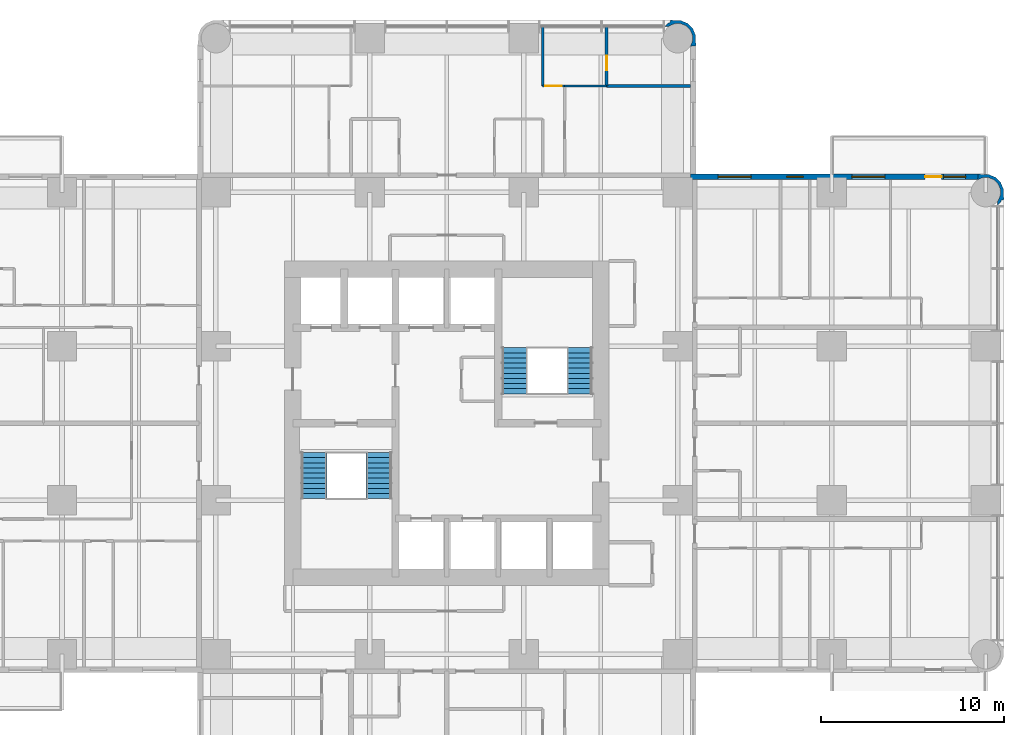
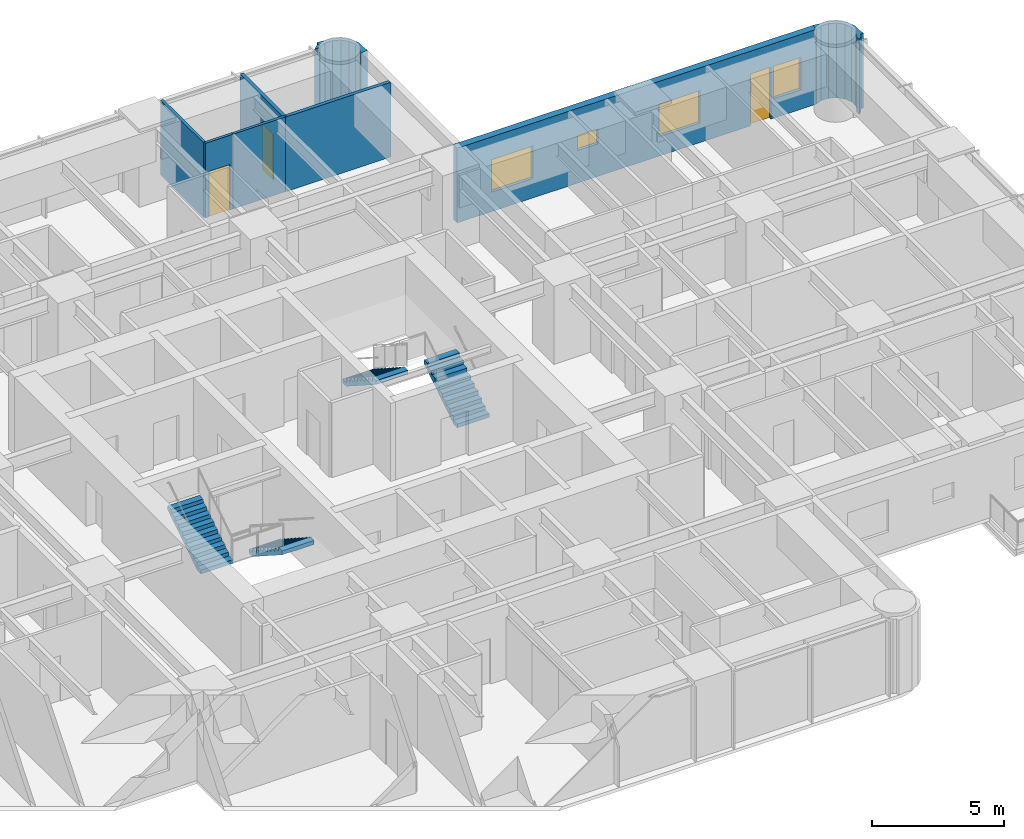
# One storey, part 12 of 14: 8 walls, 4 stair flights, 4 windows, 3 doors, 7 openings, 2 elements without a shape of their own.
"""IFC4 building model written with IfcOpenShell, lengths in metres."""

from ifc_helpers import new_model, si_unit, direction, frame, frame_2d, origin, place, context, subcontext, project, spatial, polyline, rectangle, outline, extrude, material, layer, layer_set, type_object, element, fill, aggregate, save


model = new_model("IFC4")

# Units and contexts
model_context = context("Model", 3, precision=1e-05, world=origin(), true_north=direction((0.0, 1.0)))
body_context = subcontext(model_context, "Body", "Model", "MODEL_VIEW")
ifc_project = project(units=[si_unit("LENGTHUNIT", "METRE"), si_unit("AREAUNIT", "SQUARE_METRE"), si_unit("VOLUMEUNIT", "CUBIC_METRE"), si_unit("PLANEANGLEUNIT", "RADIAN"), si_unit("MASSUNIT", "GRAM", prefix="KILO")], contexts=[model_context])

# Site, building, storey
site_placement = place(None, origin())
site = spatial("IfcSite", under=ifc_project, at=site_placement, CompositionType="ELEMENT")
building_placement = place(site_placement, origin())
building = spatial("IfcBuilding", under=site, at=building_placement, Name="Torre Alcanfor", CompositionType="ELEMENT")
storey_placement = place(building_placement, frame((0.0, 0.0, 162.89990234375)))
storey = spatial("IfcBuildingStorey", under=building, at=storey_placement, Name="L42", CompositionType="ELEMENT", Elevation=162.89990234375)

# Wall
ifc_material_1 = material(Name="Gypsum board on steel studs", Category="steel")
ifc_layer_1 = layer(ifc_material_1, 0.1201171875)
ifc_layer_set_1 = layer_set([ifc_layer_1], Name="Apartment partition 120")
wall_type_1 = type_object("IfcWallType", Name="Apartment partition 120", PredefinedType="PARTITIONING", material=ifc_layer_set_1)
wall_1_placement = place(storey_placement, frame((34.62890625, 51.050048828125, 0.0), z_axis=(0.0, 0.0, 1.0), x_axis=(0.0, -1.0, 0.0)))
element("IfcWall", 1, at=wall_1_placement, inside=storey, type_object=wall_type_1, Name="Partition L42-NX-LIVING / L42-NX-BED1", PredefinedType="PARTITIONING", context=body_context, shape_type="SweptSolid", body=[
    extrude(rectangle(XDim=3.25, YDim=0.1201171875, at=frame_2d((1.625, 0.0))), origin(), (0.0, 0.0, 1.0), 3.4501953125),
])

# Wall, opening, door
wall_2_placement = place(storey_placement, frame((34.62890625, 47.800048828125, 0.0), z_axis=(0.0, 0.0, 1.0), x_axis=(1.0, 0.0, 0.0)))
wall_2 = element("IfcWall", 2, at=wall_2_placement, inside=storey, type_object=wall_type_1, Name="Partition L42-NX-LIVING / L42-NX-BED1", PredefinedType="PARTITIONING", context=body_context, shape_type="SweptSolid", body=[
    extrude(rectangle(XDim=1.2001953125, YDim=0.1201171875, at=frame_2d((0.60009765625, 0.0))), origin(), (0.0, 0.0, 1.0), 3.4501953125),
])
opening_1_placement = place(wall_2_placement, frame((0.15087890625, 0.0, 0.0)))
opening_1 = element("IfcOpeningElement", 3, at=opening_1_placement, cuts=wall_2, Name="Opening D-R1", PredefinedType="OPENING", context=body_context, shape_type="SweptSolid", body=[
    extrude(rectangle(XDim=0.89990234375, YDim=2.10009765625, at=frame_2d((0.449951171875, 1.050048828125))), frame((0.0, 0.070068359375, 0.0), z_axis=(0.0, -1.0, 0.0), x_axis=(1.0, 0.0, 0.0)), (0.0, 0.0, 1.0), 0.14013671875),
])
ifc_material_2 = material(Name="Timber", Category="wood")
door_type_1 = type_object("IfcDoorType", Name="Internal door 900x2100", OperationType="SINGLE_SWING_LEFT", PredefinedType="DOOR", material=ifc_material_2)
door_1_placement = place(opening_1_placement, origin())
door_1 = element("IfcDoor", 4, at=door_1_placement, inside=storey, type_object=door_type_1, Name="Door L42-NX bed1", OperationType="SINGLE_SWING_LEFT", OverallHeight=2.10009765625, OverallWidth=0.89990234375, PredefinedType="DOOR", context=body_context, shape_type="SweptSolid", body=[
    extrude(rectangle(XDim=0.89990234375, YDim=2.10009765625, at=frame_2d((0.449951171875, 1.050048828125))), frame((0.0, 0.02490234375, 0.0), z_axis=(0.0, -1.0, 0.0), x_axis=(1.0, 0.0, 0.0)), (0.0, 0.0, 1.0), 0.050048828125),
])
fill(opening_1, door_1)

# Wall
wall_3_placement = place(storey_placement, frame((38.114013671875, 47.800048828125, 0.0), z_axis=(0.0, 0.0, 1.0), x_axis=(-1.0, 0.0, 0.0)))
element("IfcWall", 5, at=wall_3_placement, inside=storey, type_object=wall_type_1, Name="Partition L42-NX-BED3 / L42-NX-BED1", PredefinedType="PARTITIONING", context=body_context, shape_type="SweptSolid", body=[
    extrude(rectangle(XDim=2.284912109375, YDim=0.1201171875, at=frame_2d((1.142578125, 0.0))), origin(), (0.0, 0.0, 1.0), 3.4501953125),
])

# Wall, openings, door, windows
ifc_material_3 = material(Name="Limestone cladding", Category="masonry")
ifc_layer_2 = layer(ifc_material_3, 0.0400390625, Name="Facing")
ifc_material_4 = material(Name="Ventilated air cavity")
ifc_layer_3 = layer(ifc_material_4, 0.02001953125, ventilated=True, Name="Ventilated joint")
ifc_material_5 = material(Name="Mineral wool insulation", Category="insulation")
ifc_layer_4 = layer(ifc_material_5, 0.10009765625, Name="Insulation")
ifc_material_6 = material(Name="Concrete f'c 35 MPa", Category="concrete")
ifc_layer_5 = layer(ifc_material_6, 0.139892578125, Name="Backing")
ifc_layer_set_2 = layer_set([ifc_layer_2, ifc_layer_3, ifc_layer_4, ifc_layer_5], Name="External wall stone-clad 300")
wall_type_2 = type_object("IfcWallType", Name="External wall stone-clad 300", PredefinedType="SOLIDWALL", material=ifc_layer_set_2)
wall_4_placement = place(storey_placement, frame((58.39990234375, 42.85009765625, 0.0), z_axis=(0.0, 0.0, 1.0), x_axis=(-1.0, 0.0, 0.0)))
wall_4 = element("IfcWall", 6, at=wall_4_placement, inside=storey, type_object=wall_type_2, Name="External wall L42 9", PredefinedType="SOLIDWALL", context=body_context, shape_type="SweptSolid", body=[
    extrude(rectangle(XDim=15.699951171875, YDim=0.300048828125, at=frame_2d((7.85009765625, 0.0))), origin(), (0.0, 0.0, 1.0), 3.4501953125),
])
opening_2_placement = place(wall_4_placement, frame((12.39990234375, 0.0, 0.89990234375)))
opening_2 = element("IfcOpeningElement", 7, at=opening_2_placement, cuts=wall_4, Name="Opening W2", PredefinedType="OPENING", context=body_context, shape_type="SweptSolid", body=[
    extrude(rectangle(XDim=1.800048828125, YDim=1.5, at=frame_2d((0.89990234375, 0.75))), frame((0.0, 0.159912109375, 0.0), z_axis=(0.0, -1.0, 0.0), x_axis=(1.0, 0.0, 0.0)), (0.0, 0.0, 1.0), 0.320068359375),
])
opening_3_placement = place(wall_4_placement, frame((9.550048828125, 0.0, 1.5)))
opening_3 = element("IfcOpeningElement", 8, at=opening_3_placement, cuts=wall_4, Name="Opening W3", PredefinedType="OPENING", context=body_context, shape_type="SweptSolid", body=[
    extrude(rectangle(XDim=0.89990234375, YDim=0.699951171875, at=frame_2d((0.449951171875, 0.35009765625))), frame((0.0, 0.159912109375, 0.0), z_axis=(0.0, -1.0, 0.0), x_axis=(1.0, 0.0, 0.0)), (0.0, 0.0, 1.0), 0.320068359375),
])
opening_4_placement = place(wall_4_placement, frame((5.10009765625, 0.0, 0.89990234375)))
opening_4 = element("IfcOpeningElement", 9, at=opening_4_placement, cuts=wall_4, Name="Opening W2", PredefinedType="OPENING", context=body_context, shape_type="SweptSolid", body=[
    extrude(rectangle(XDim=1.800048828125, YDim=1.5, at=frame_2d((0.89990234375, 0.75))), frame((0.0, 0.159912109375, 0.0), z_axis=(0.0, -1.0, 0.0), x_axis=(1.0, 0.0, 0.0)), (0.0, 0.0, 1.0), 0.320068359375),
])
opening_5_placement = place(wall_4_placement, frame((2.0, 0.0, 0.0)))
opening_5 = element("IfcOpeningElement", 10, at=opening_5_placement, cuts=wall_4, Name="Opening D-B1", PredefinedType="OPENING", context=body_context, shape_type="SweptSolid", body=[
    extrude(rectangle(XDim=0.89990234375, YDim=2.39990234375, at=frame_2d((0.449951171875, 1.199951171875))), frame((0.0, 0.159912109375, 0.0), z_axis=(0.0, -1.0, 0.0), x_axis=(1.0, 0.0, 0.0)), (0.0, 0.0, 1.0), 0.320068359375),
])
opening_6_placement = place(wall_4_placement, frame((0.699951171875, 0.0, 0.89990234375)))
opening_6 = element("IfcOpeningElement", 11, at=opening_6_placement, cuts=wall_4, Name="Opening W4", PredefinedType="OPENING", context=body_context, shape_type="SweptSolid", body=[
    extrude(rectangle(XDim=1.199951171875, YDim=1.5, at=frame_2d((0.60009765625, 0.75))), frame((0.0, 0.159912109375, 0.0), z_axis=(0.0, -1.0, 0.0), x_axis=(1.0, 0.0, 0.0)), (0.0, 0.0, 1.0), 0.320068359375),
])
ifc_material_7 = material(Name="Aluminium and glass", Category="aluminium")
door_type_2 = type_object("IfcDoorType", Name="Balcony door glazed 900x2400", OperationType="SINGLE_SWING_LEFT", PredefinedType="DOOR", material=ifc_material_7)
door_2_placement = place(opening_5_placement, origin())
door_2 = element("IfcDoor", 12, at=door_2_placement, inside=storey, type_object=door_type_2, Name="Balcony door L42-E1", OperationType="SINGLE_SWING_RIGHT", OverallHeight=2.39990234375, OverallWidth=0.89990234375, PredefinedType="DOOR", context=body_context, shape_type="SweptSolid", body=[
    extrude(rectangle(XDim=0.89990234375, YDim=2.39990234375, at=frame_2d((0.449951171875, 1.199951171875))), frame((0.0, 0.02490234375, 0.0), z_axis=(0.0, -1.0, 0.0), x_axis=(1.0, 0.0, 0.0)), (0.0, 0.0, 1.0), 0.050048828125),
])
fill(opening_5, door_2)
ifc_material_8 = material(Name="Aluminium frame with clear double glazing", Category="aluminium")
window_type_1 = type_object("IfcWindowType", Name="Window bathroom 900x700", PartitioningType="SINGLE_PANEL", PredefinedType="WINDOW", material=ifc_material_8)
window_1_placement = place(opening_3_placement, origin())
window_1 = element("IfcWindow", 13, at=window_1_placement, inside=storey, type_object=window_type_1, Name="Window W3 L42-E1", OverallHeight=0.699951171875, OverallWidth=0.89990234375, PartitioningType="SINGLE_PANEL", PredefinedType="WINDOW", context=body_context, shape_type="SweptSolid", body=[
    extrude(rectangle(XDim=0.89990234375, YDim=0.699951171875, at=frame_2d((0.449951171875, 0.35009765625))), frame((0.0, 0.030029296875, 0.0), z_axis=(0.0, -1.0, 0.0), x_axis=(1.0, 0.0, 0.0)), (0.0, 0.0, 1.0), 0.06005859375),
])
fill(opening_3, window_1)
ifc_material_9 = material(Name="Aluminium frame with clear double glazing", Category="aluminium")
window_type_2 = type_object("IfcWindowType", Name="Window bedroom 1200x1500", PartitioningType="SINGLE_PANEL", PredefinedType="WINDOW", material=ifc_material_9)
window_2_placement = place(opening_6_placement, origin())
window_2 = element("IfcWindow", 14, at=window_2_placement, inside=storey, type_object=window_type_2, Name="Window W4 L42-E1", OverallHeight=1.5, OverallWidth=1.199951171875, PartitioningType="SINGLE_PANEL", PredefinedType="WINDOW", context=body_context, shape_type="SweptSolid", body=[
    extrude(rectangle(XDim=1.199951171875, YDim=1.5, at=frame_2d((0.60009765625, 0.75))), frame((0.0, 0.030029296875, 0.0), z_axis=(0.0, -1.0, 0.0), x_axis=(1.0, 0.0, 0.0)), (0.0, 0.0, 1.0), 0.06005859375),
])
fill(opening_6, window_2)
ifc_material_10 = material(Name="Aluminium frame with clear double glazing", Category="aluminium")
window_type_3 = type_object("IfcWindowType", Name="Window bedroom 1800x1500", PartitioningType="SINGLE_PANEL", PredefinedType="WINDOW", material=ifc_material_10)
window_3_placement = place(opening_2_placement, origin())
window_3 = element("IfcWindow", 15, at=window_3_placement, inside=storey, type_object=window_type_3, Name="Window W2 L42-E1", OverallHeight=1.5, OverallWidth=1.800048828125, PartitioningType="SINGLE_PANEL", PredefinedType="WINDOW", context=body_context, shape_type="SweptSolid", body=[
    extrude(rectangle(XDim=1.800048828125, YDim=1.5, at=frame_2d((0.89990234375, 0.75))), frame((0.0, 0.030029296875, 0.0), z_axis=(0.0, -1.0, 0.0), x_axis=(1.0, 0.0, 0.0)), (0.0, 0.0, 1.0), 0.06005859375),
])
fill(opening_2, window_3)
window_4_placement = place(opening_4_placement, origin())
window_4 = element("IfcWindow", 16, at=window_4_placement, inside=storey, type_object=window_type_3, Name="Window W2 L42-E1", OverallHeight=1.5, OverallWidth=1.800048828125, PartitioningType="SINGLE_PANEL", PredefinedType="WINDOW", context=body_context, shape_type="SweptSolid", body=[
    extrude(rectangle(XDim=1.800048828125, YDim=1.5, at=frame_2d((0.89990234375, 0.75))), frame((0.0, 0.030029296875, 0.0), z_axis=(0.0, -1.0, 0.0), x_axis=(1.0, 0.0, 0.0)), (0.0, 0.0, 1.0), 0.06005859375),
])
fill(opening_4, window_4)

# Walls
ifc_layer_6 = layer(ifc_material_3, 0.0400390625, Name="Facing")
ifc_layer_7 = layer(ifc_material_4, 0.02001953125, ventilated=True, Name="Ventilated joint")
ifc_layer_8 = layer(ifc_material_5, 0.10009765625, Name="Insulation")
ifc_layer_9 = layer(ifc_material_6, 0.139892578125, Name="Backing")
ifc_layer_set_3 = layer_set([ifc_layer_6, ifc_layer_7, ifc_layer_8, ifc_layer_9], Name="Rounded corner pier stone-clad 300")
wall_type_3 = type_object("IfcWallType", Name="Rounded corner pier stone-clad 300", PredefinedType="SOLIDWALL", material=ifc_layer_set_3)
wall_5_placement = place(storey_placement, frame((59.395317512, 41.351928198, 0.0), z_axis=(0.0, 0.0, 1.0), x_axis=(0.93923434088, 0.343276641956, 0.0)))
element("IfcWall", 17, at=wall_5_placement, inside=storey, type_object=wall_type_3, Name="Corner pier L42 18", PredefinedType="SOLIDWALL", context=body_context, shape_type="SweptSolid", body=[
    extrude(outline(polyline([(0.5319791374717469, 0.3931546875748424), (0.6305370795958255, 0.662817672163305), (0.614285462759775, 1.044364627998893), (0.4533652442516045, 1.3906676424071163), (0.17222000156622597, 1.6491237258576117), (-0.09744298302223653, 1.7476816679816904), (-0.36918355555989557, 1.8896284089825286), (-0.509101456401082, 1.6213052972671853), (-0.49052773042177455, 1.6145168675800676), (-0.47941981662998623, 1.6086375342973744), (-0.2113919059229058, 1.6201101578142136), (0.08785145707704622, 1.5107410128550955), (0.32257352025202113, 1.2952455132706726), (0.4567838912150332, 1.0060128786275908), (0.47036434537540095, 0.687566849311498), (0.36107900819019806, 0.38855279157054984), (0.14535420334677107, 0.1539145361694899), (0.10800994465551556, 0.13637103018492347), (0.030906792653685306, -0.07458980809856762), (0.2410056377422186, 0.023039004395991533), (0.3334055822831027, 0.12365495968313633), (0.46532832919806827, 0.0941544704520565), (0.5319791374717469, 0.3931546875748424)])), origin(), (0.0, 0.0, 1.0), 3.4501953125),
])
wall_6_placement = place(storey_placement, frame((42.817059488, 50.073176205, 0.0), z_axis=(0.0, 0.0, 1.0), x_axis=(0.343276641956, 0.93923434088, 0.0)))
element("IfcWall", 18, at=wall_6_placement, inside=storey, type_object=wall_type_3, Name="Corner pier L42 19", PredefinedType="SOLIDWALL", context=body_context, shape_type="SweptSolid", body=[
    extrude(outline(polyline([(0.2655808672444785, -0.0550807599050476), (0.5354731570919448, 0.04356098999294611), (0.8166183997773234, 0.30201707344344164), (0.9775386182854939, 0.6483200878516648), (0.9937902351215443, 1.0298670436872528), (0.8952322929974657, 1.2995300282757154), (0.8283521794647835, 1.5984464376245864), (0.6966587378088214, 1.5690297561674216), (0.6042587932679374, 1.6696457114545662), (0.39415994817940425, 1.7672745239491254), (0.47126310018123446, 1.5563136856656343), (0.50860735887249, 1.538770179681068), (0.7241028584569131, 1.304048116506093), (0.833388195642116, 1.0050340587651447), (0.8200370467407522, 0.686671837222967), (0.68582667577774, 0.3974392025798854), (0.4511046126027651, 0.18194370299546214), (0.15186124960281305, 0.07257455803634424), (-0.11616666110426738, 0.08404718155318341), (-0.12750388015505948, 0.07808404049657515), (-0.14607760613436685, 0.07129561080945748), (-0.0059304000341767055, -0.19694369313197083), (0.2655808672444785, -0.0550807599050476)])), origin(), (0.0, 0.0, 1.0), 3.4501953125),
])
ifc_material_11 = material(Name="Cement board on steel studs", Category="steel")
ifc_layer_10 = layer(ifc_material_11, 0.14990234375)
ifc_layer_set_4 = layer_set([ifc_layer_10], Name="Wet area partition 150")
wall_type_4 = type_object("IfcWallType", Name="Wet area partition 150", PredefinedType="PARTITIONING", material=ifc_layer_set_4)
wall_7_placement = place(storey_placement, frame((42.699951171875, 47.800048828125, 0.0), z_axis=(0.0, 0.0, 1.0), x_axis=(-1.0, 0.0, 0.0)))
element("IfcWall", 19, at=wall_7_placement, inside=storey, type_object=wall_type_4, Name="Partition L42-NX-BED3 / L42-NX-BATH1", PredefinedType="PARTITIONING", context=body_context, shape_type="SweptSolid", body=[
    extrude(rectangle(XDim=4.5859375, YDim=0.14990234375, at=frame_2d((2.29296875, 0.0))), origin(), (0.0, 0.0, 1.0), 3.4501953125),
])

# Wall, opening, door
wall_8_placement = place(storey_placement, frame((38.114013671875, 51.050048828125, 0.0), z_axis=(0.0, 0.0, 1.0), x_axis=(0.0, -1.0, 0.0)))
wall_8 = element("IfcWall", 20, at=wall_8_placement, inside=storey, type_object=wall_type_4, Name="Partition L42-NX-BATH1 / L42-NX-BED1", PredefinedType="PARTITIONING", context=body_context, shape_type="SweptSolid", body=[
    extrude(rectangle(XDim=3.25, YDim=0.14990234375, at=frame_2d((1.625, 0.0))), origin(), (0.0, 0.0, 1.0), 3.4501953125),
])
opening_7_placement = place(wall_8_placement, frame((1.60009765625, 0.0, 0.0)))
opening_7 = element("IfcOpeningElement", 21, at=opening_7_placement, cuts=wall_8, Name="Opening D-R2", PredefinedType="OPENING", context=body_context, shape_type="SweptSolid", body=[
    extrude(rectangle(XDim=0.800048828125, YDim=2.10009765625, at=frame_2d((0.39990234375, 1.050048828125))), frame((0.0, 0.0849609375, 0.0), z_axis=(0.0, -1.0, 0.0), x_axis=(1.0, 0.0, 0.0)), (0.0, 0.0, 1.0), 0.169921875),
])
ifc_material_12 = material(Name="Timber", Category="wood")
door_type_3 = type_object("IfcDoorType", Name="Bathroom door 800x2100", OperationType="SINGLE_SWING_LEFT", PredefinedType="DOOR", material=ifc_material_12)
door_3_placement = place(opening_7_placement, frame((0.800048828125, 0.0, 0.0), z_axis=(0.0, 0.0, 1.0), x_axis=(-1.0, 0.0, 0.0)))
door_3 = element("IfcDoor", 22, at=door_3_placement, inside=storey, type_object=door_type_3, Name="Door L42-NX bath1", OperationType="SINGLE_SWING_LEFT", OverallHeight=2.10009765625, OverallWidth=0.800048828125, PredefinedType="DOOR", context=body_context, shape_type="SweptSolid", body=[
    extrude(rectangle(XDim=0.800048828125, YDim=2.10009765625, at=frame_2d((0.400146484375, 1.050048828125))), frame((0.0, 0.025146484375, 0.0), z_axis=(0.0, -1.0, 0.0), x_axis=(1.0, 0.0, 0.0)), (0.0, 0.0, 1.0), 0.050048828125),
])
fill(opening_7, door_3)

# Stair, stair flights
ifc_material_13 = material(Name="Concrete f'c 35 MPa", Category="concrete")
stair_type_1 = type_object("IfcStairType", Name="Exit stair S1 1400 wide", PredefinedType="HALF_TURN_STAIR", material=ifc_material_13)
stair_1_placement = place(storey_placement, origin())
stair_1 = element("IfcStair", 23, at=stair_1_placement, inside=storey, type_object=stair_type_1, Name="Stair S1 L42 to L43", PredefinedType="HALF_TURN_STAIR")
ifc_material_14 = material(Name="Concrete f'c 35 MPa", Category="concrete")
stair_flight_type = type_object("IfcStairFlightType", Name="Stair flight 1400", PredefinedType="STRAIGHT", material=ifc_material_14)
stair_flight_1_placement = place(storey_placement, frame((25.699951171875, 27.800048828125, 0.0), z_axis=(0.0, 0.0, 1.0), x_axis=(0.0, -1.0, 0.0)))
stair_flight_1 = element("IfcStairFlight", 24, at=stair_flight_1_placement, type_object=stair_flight_type, Name="S1 flight 1", NumberOfRisers=10, NumberOfTreads=9, PredefinedType="STRAIGHT", RiserHeight=0.18, TreadLength=0.28, context=body_context, shape_type="SweptSolid", body=[
    extrude(outline(polyline([(0.0, 0.0), (0.0, 0.179931640625), (0.280029296875, 0.179931640625), (0.280029296875, 0.360107421875), (0.56005859375, 0.360107421875), (0.56005859375, 0.5400390625), (0.840087890625, 0.5400390625), (0.840087890625, 0.719970703125), (1.1201171875, 0.719970703125), (1.1201171875, 0.89990234375), (1.39990234375, 0.89990234375), (1.39990234375, 1.080078125), (1.679931640625, 1.080078125), (1.679931640625, 1.260009765625), (1.9599609375, 1.260009765625), (1.9599609375, 1.43994140625), (2.239990234375, 1.43994140625), (2.239990234375, 1.6201171875), (2.52001953125, 1.6201171875), (2.52001953125, 1.800048828125), (2.52001953125, 1.44189453125), (0.277099609375, 0.0), (0.0, 0.0)])), frame((0.0, 0.699951171875, 0.0), z_axis=(0.0, -1.0, 0.0), x_axis=(1.0, 0.0, 0.0)), (0.0, 0.0, 1.0), 1.39990234375),
])
stair_flight_2_placement = place(storey_placement, frame((22.14990234375, 25.280029296875, 1.800048828125), z_axis=(0.0, 0.0, 1.0), x_axis=(0.0, 1.0, 0.0)))
stair_flight_2 = element("IfcStairFlight", 25, at=stair_flight_2_placement, type_object=stair_flight_type, Name="S1 flight 2", NumberOfRisers=10, NumberOfTreads=9, PredefinedType="STRAIGHT", RiserHeight=0.18, TreadLength=0.28, context=body_context, shape_type="SweptSolid", body=[
    extrude(outline(polyline([(0.0, 0.0), (0.0, 0.179931640625), (0.280029296875, 0.179931640625), (0.280029296875, 0.360107421875), (0.56005859375, 0.360107421875), (0.56005859375, 0.5400390625), (0.840087890625, 0.5400390625), (0.840087890625, 0.719970703125), (1.1201171875, 0.719970703125), (1.1201171875, 0.89990234375), (1.39990234375, 0.89990234375), (1.39990234375, 1.080078125), (1.679931640625, 1.080078125), (1.679931640625, 1.260009765625), (1.9599609375, 1.260009765625), (1.9599609375, 1.43994140625), (2.239990234375, 1.43994140625), (2.239990234375, 1.6201171875), (2.52001953125, 1.6201171875), (2.52001953125, 1.800048828125), (2.52001953125, 1.44189453125), (0.277099609375, 0.0), (0.0, 0.0)])), frame((0.0, 0.699951171875, 0.0), z_axis=(0.0, -1.0, 0.0), x_axis=(1.0, 0.0, 0.0)), (0.0, 0.0, 1.0), 1.39990234375),
])
aggregate(stair_1, [stair_flight_1, stair_flight_2])

ifc_material_15 = material(Name="Concrete f'c 35 MPa", Category="concrete")
stair_type_2 = type_object("IfcStairType", Name="Exit stair S2 1400 wide", PredefinedType="HALF_TURN_STAIR", material=ifc_material_15)
stair_2_placement = place(storey_placement, origin())
stair_2 = element("IfcStair", 26, at=stair_2_placement, inside=storey, type_object=stair_type_2, Name="Stair S2 L42 to L43", PredefinedType="HALF_TURN_STAIR")
stair_flight_3_placement = place(storey_placement, frame((36.64990234375, 31.0, 0.0), z_axis=(0.0, 0.0, 1.0), x_axis=(0.0, 1.0, 0.0)))
stair_flight_3 = element("IfcStairFlight", 27, at=stair_flight_3_placement, type_object=stair_flight_type, Name="S2 flight 1", NumberOfRisers=10, NumberOfTreads=9, PredefinedType="STRAIGHT", RiserHeight=0.18, TreadLength=0.28, context=body_context, shape_type="SweptSolid", body=[
    extrude(outline(polyline([(0.0, 0.0), (0.0, 0.179931640625), (0.280029296875, 0.179931640625), (0.280029296875, 0.360107421875), (0.56005859375, 0.360107421875), (0.56005859375, 0.5400390625), (0.840087890625, 0.5400390625), (0.840087890625, 0.719970703125), (1.1201171875, 0.719970703125), (1.1201171875, 0.89990234375), (1.39990234375, 0.89990234375), (1.39990234375, 1.080078125), (1.679931640625, 1.080078125), (1.679931640625, 1.260009765625), (1.9599609375, 1.260009765625), (1.9599609375, 1.43994140625), (2.239990234375, 1.43994140625), (2.239990234375, 1.6201171875), (2.52001953125, 1.6201171875), (2.52001953125, 1.800048828125), (2.52001953125, 1.44189453125), (0.277099609375, 0.0), (0.0, 0.0)])), frame((0.0, 0.699951171875, 0.0), z_axis=(0.0, -1.0, 0.0), x_axis=(1.0, 0.0, 0.0)), (0.0, 0.0, 1.0), 1.39990234375),
])
stair_flight_4_placement = place(storey_placement, frame((33.10009765625, 33.52001953125, 1.800048828125), z_axis=(0.0, 0.0, 1.0), x_axis=(0.0, -1.0, 0.0)))
stair_flight_4 = element("IfcStairFlight", 28, at=stair_flight_4_placement, type_object=stair_flight_type, Name="S2 flight 2", NumberOfRisers=10, NumberOfTreads=9, PredefinedType="STRAIGHT", RiserHeight=0.18, TreadLength=0.28, context=body_context, shape_type="SweptSolid", body=[
    extrude(outline(polyline([(0.0, 0.0), (0.0, 0.179931640625), (0.280029296875, 0.179931640625), (0.280029296875, 0.360107421875), (0.56005859375, 0.360107421875), (0.56005859375, 0.5400390625), (0.840087890625, 0.5400390625), (0.840087890625, 0.719970703125), (1.1201171875, 0.719970703125), (1.1201171875, 0.89990234375), (1.39990234375, 0.89990234375), (1.39990234375, 1.080078125), (1.679931640625, 1.080078125), (1.679931640625, 1.260009765625), (1.9599609375, 1.260009765625), (1.9599609375, 1.43994140625), (2.239990234375, 1.43994140625), (2.239990234375, 1.6201171875), (2.52001953125, 1.6201171875), (2.52001953125, 1.800048828125), (2.52001953125, 1.44189453125), (0.277099609375, 0.0), (0.0, 0.0)])), frame((0.0, 0.699951171875, 0.0), z_axis=(0.0, -1.0, 0.0), x_axis=(1.0, 0.0, 0.0)), (0.0, 0.0, 1.0), 1.39990234375),
])
aggregate(stair_2, [stair_flight_3, stair_flight_4])

save(model, "model.ifc")
